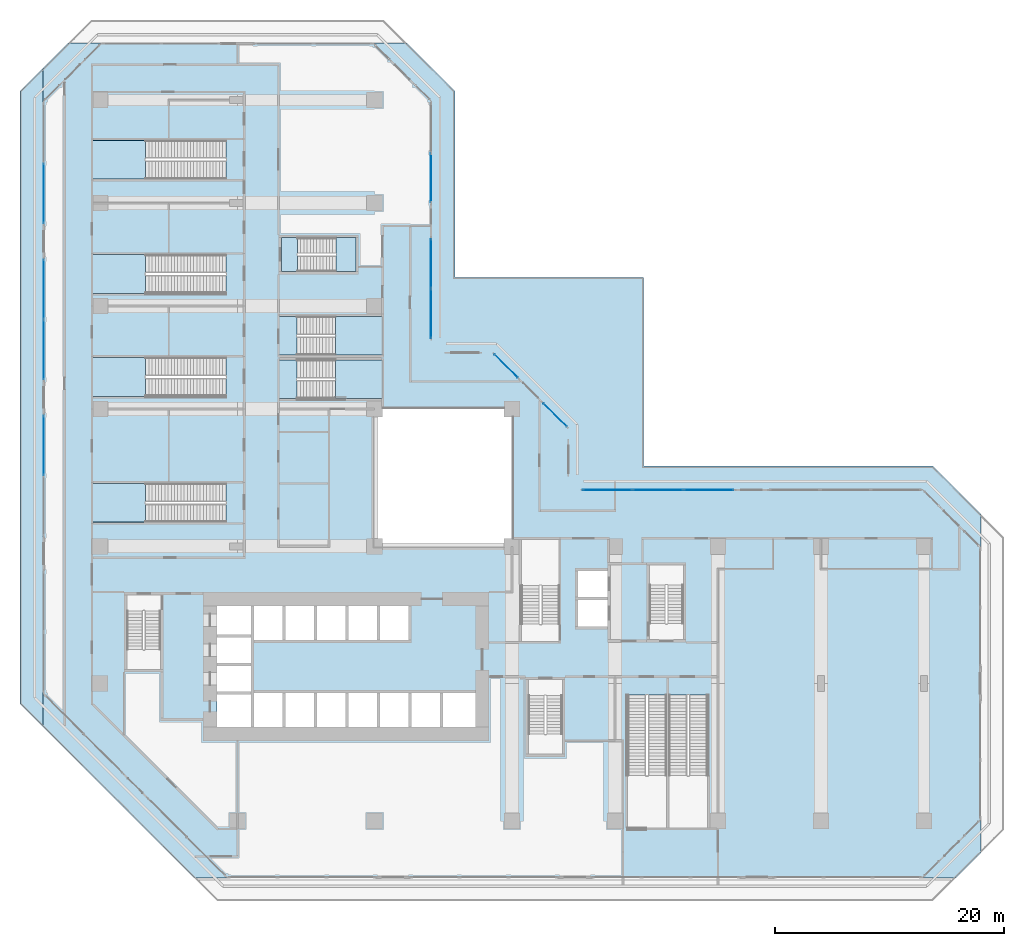
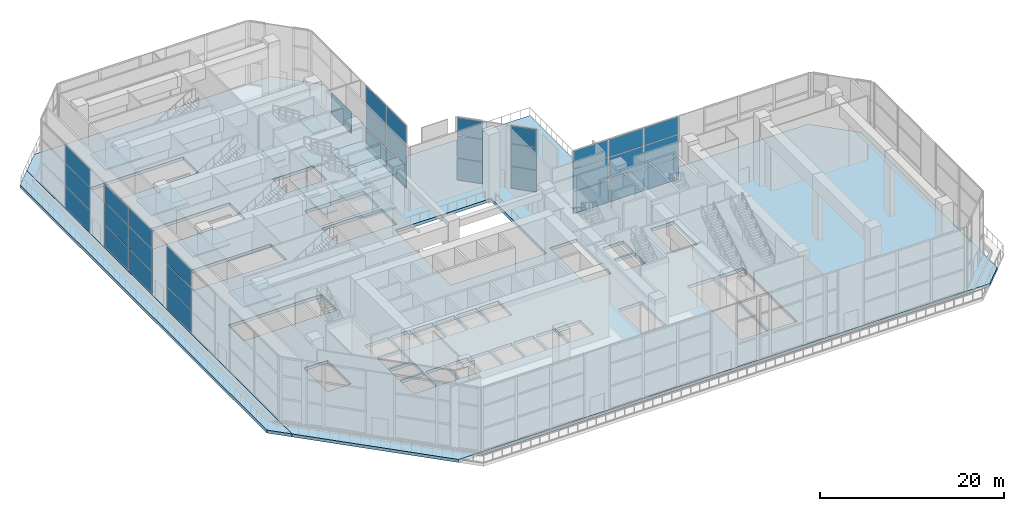
# One storey, part 10 of 28: 34 plates, 15 slabs, 15 elements without a shape of their own.
"""IFC4 building model written with IfcOpenShell, lengths in metres."""

from ifc_helpers import new_model, si_unit, direction, frame, origin, origin_2d, place, context, subcontext, project, spatial, polyline, rectangle, outline, extrude, material, layer, layer_set, type_object, element, aggregate, save


model = new_model("IFC4")

# Units and contexts
model_context = context("Model", 3, precision=1e-05, world=origin(), true_north=direction((0.0, 1.0)))
body_context = subcontext(model_context, "Body", "Model", "MODEL_VIEW")
ifc_project = project(units=[si_unit("LENGTHUNIT", "METRE"), si_unit("AREAUNIT", "SQUARE_METRE"), si_unit("VOLUMEUNIT", "CUBIC_METRE"), si_unit("PLANEANGLEUNIT", "RADIAN"), si_unit("MASSUNIT", "GRAM", prefix="KILO")], contexts=[model_context])

# Site, building, storey
site_placement = place(None, origin())
site = spatial("IfcSite", under=ifc_project, at=site_placement, CompositionType="ELEMENT")
building_placement = place(site_placement, origin())
building = spatial("IfcBuilding", under=site, at=building_placement, Name="Chenar Terraces", CompositionType="ELEMENT")
storey_placement = place(building_placement, frame((0.0, 0.0, 26.39990234375)))
storey = spatial("IfcBuildingStorey", under=building, at=storey_placement, Name="L05", CompositionType="ELEMENT", Elevation=26.39990234375)

# Stair, slabs
ifc_material_1 = material(Name="Reinforced concrete C40/50", Category="concrete")
stair_type = type_object("IfcStairType", Name="Core stair 1400 half-turn", PredefinedType="HALF_TURN_STAIR", material=ifc_material_1)
placement_1 = place(storey_placement, origin())
stair_1 = element("IfcStair", 1, at=placement_1, inside=storey, type_object=stair_type, Name="L05 Stair 4", PredefinedType="HALF_TURN_STAIR")
ifc_material_2 = material(Name="Reinforced concrete C40/50", Category="concrete")
ifc_layer_1 = layer(ifc_material_2, 0.199951171875)
ifc_layer_set_1 = layer_set([ifc_layer_1], Name="Reinforced concrete C40/50")
slab_type_1 = type_object("IfcSlabType", Name="Core stair landing 200", PredefinedType="LANDING", material=ifc_layer_set_1)
placement_2 = place(storey_placement, frame((0.0, 0.0, 2.050048828125)))
slab_1 = element("IfcSlab", 2, at=placement_2, type_object=slab_type_1, Name="ST4 landing 1", PredefinedType="LANDING", context=body_context, shape_type="SweptSolid", body=[
    extrude(outline(polyline([(20.610107421875, 48.02490234375), (22.35009765625, 48.02490234375), (22.35009765625, 50.97509765625), (20.610107421875, 50.97509765625), (20.610107421875, 48.02490234375)])), origin(), (0.0, 0.0, 1.0), 0.199951171875),
])
placement_3 = place(storey_placement, frame((0.0, 0.0, 4.300048828125)))
slab_2 = element("IfcSlab", 3, at=placement_3, type_object=slab_type_1, Name="ST4 landing 2", PredefinedType="LANDING", context=body_context, shape_type="SweptSolid", body=[
    extrude(outline(polyline([(15.85009765625, 48.02490234375), (17.25, 48.02490234375), (17.25, 50.97509765625), (15.85009765625, 50.97509765625), (15.85009765625, 48.02490234375)])), origin(), (0.0, 0.0, 1.0), 0.199951171875),
])
placement_4 = place(storey_placement, frame((0.0, 0.0, 6.550048828125)))
slab_3 = element("IfcSlab", 4, at=placement_4, type_object=slab_type_1, Name="ST4 landing 3", PredefinedType="LANDING", context=body_context, shape_type="SweptSolid", body=[
    extrude(outline(polyline([(20.610107421875, 48.02490234375), (22.35009765625, 48.02490234375), (22.35009765625, 50.97509765625), (20.610107421875, 50.97509765625), (20.610107421875, 48.02490234375)])), origin(), (0.0, 0.0, 1.0), 0.199951171875),
])
aggregate(stair_1, [slab_1, slab_2, slab_3])

# Stair, slab
stair_2 = element("IfcStair", 5, at=placement_1, inside=storey, type_object=stair_type, Name="L05 Exit stair PS3", PredefinedType="HALF_TURN_STAIR")
slab_4 = element("IfcSlab", 6, at=placement_3, type_object=slab_type_1, Name="PS3 landing 1", PredefinedType="LANDING", context=body_context, shape_type="SweptSolid", body=[
    extrude(outline(polyline([(3.985107421875, 59.489990234375), (-0.699951171875, 59.489990234375), (-0.699951171875, 56.110107421875), (3.985107421875, 56.110107421875), (3.985107421875, 59.489990234375)])), origin(), (0.0, 0.0, 1.0), 0.199951171875),
])
aggregate(stair_2, [slab_4])

stair_3 = element("IfcStair", 7, at=placement_1, inside=storey, type_object=stair_type, Name="L05 Exit stair PS4", PredefinedType="HALF_TURN_STAIR")
slab_5 = element("IfcSlab", 8, at=placement_3, type_object=slab_type_1, Name="PS4 landing 1", PredefinedType="LANDING", context=body_context, shape_type="SweptSolid", body=[
    extrude(outline(polyline([(3.985107421875, 49.489990234375), (-0.699951171875, 49.489990234375), (-0.699951171875, 46.110107421875), (3.985107421875, 46.110107421875), (3.985107421875, 49.489990234375)])), origin(), (0.0, 0.0, 1.0), 0.199951171875),
])
aggregate(stair_3, [slab_5])

stair_4 = element("IfcStair", 9, at=placement_1, inside=storey, type_object=stair_type, Name="L05 Exit stair PS5", PredefinedType="HALF_TURN_STAIR")
slab_6 = element("IfcSlab", 10, at=placement_3, type_object=slab_type_1, Name="PS5 landing 1", PredefinedType="LANDING", context=body_context, shape_type="SweptSolid", body=[
    extrude(outline(polyline([(3.985107421875, 29.489990234375), (-0.699951171875, 29.489990234375), (-0.699951171875, 26.110107421875), (3.985107421875, 26.110107421875), (3.985107421875, 29.489990234375)])), origin(), (0.0, 0.0, 1.0), 0.199951171875),
])
aggregate(stair_4, [slab_6])

# Stair, slabs
stair_5 = element("IfcStair", 11, at=placement_1, inside=storey, type_object=stair_type, Name="L05 Exit stair PS7", PredefinedType="HALF_TURN_STAIR")
slab_7 = element("IfcSlab", 12, at=placement_2, type_object=slab_type_1, Name="PS7 landing 1", PredefinedType="LANDING", context=body_context, shape_type="SweptSolid", body=[
    extrude(outline(polyline([(20.574951171875, 36.909912109375), (24.699951171875, 36.909912109375), (24.699951171875, 40.2900390625), (20.574951171875, 40.2900390625), (20.574951171875, 36.909912109375)])), origin(), (0.0, 0.0, 1.0), 0.199951171875),
])
slab_8 = element("IfcSlab", 13, at=placement_3, type_object=slab_type_1, Name="PS7 landing 2", PredefinedType="LANDING", context=body_context, shape_type="SweptSolid", body=[
    extrude(outline(polyline([(15.60009765625, 36.909912109375), (17.215087890625, 36.909912109375), (17.215087890625, 40.2900390625), (15.60009765625, 40.2900390625), (15.60009765625, 36.909912109375)])), origin(), (0.0, 0.0, 1.0), 0.199951171875),
])
slab_9 = element("IfcSlab", 14, at=placement_4, type_object=slab_type_1, Name="PS7 landing 3", PredefinedType="LANDING", context=body_context, shape_type="SweptSolid", body=[
    extrude(outline(polyline([(20.574951171875, 36.909912109375), (24.699951171875, 36.909912109375), (24.699951171875, 40.2900390625), (20.574951171875, 40.2900390625), (20.574951171875, 36.909912109375)])), origin(), (0.0, 0.0, 1.0), 0.199951171875),
])
aggregate(stair_5, [slab_7, slab_8, slab_9])

stair_6 = element("IfcStair", 15, at=placement_1, inside=storey, type_object=stair_type, Name="L05 Exit stair PS8", PredefinedType="HALF_TURN_STAIR")
slab_10 = element("IfcSlab", 16, at=placement_2, type_object=slab_type_1, Name="PS8 landing 1", PredefinedType="LANDING", context=body_context, shape_type="SweptSolid", body=[
    extrude(outline(polyline([(20.574951171875, 40.7099609375), (24.699951171875, 40.7099609375), (24.699951171875, 44.090087890625), (20.574951171875, 44.090087890625), (20.574951171875, 40.7099609375)])), origin(), (0.0, 0.0, 1.0), 0.199951171875),
])
slab_11 = element("IfcSlab", 17, at=placement_3, type_object=slab_type_1, Name="PS8 landing 2", PredefinedType="LANDING", context=body_context, shape_type="SweptSolid", body=[
    extrude(outline(polyline([(15.60009765625, 40.7099609375), (17.215087890625, 40.7099609375), (17.215087890625, 44.090087890625), (15.60009765625, 44.090087890625), (15.60009765625, 40.7099609375)])), origin(), (0.0, 0.0, 1.0), 0.199951171875),
])
slab_12 = element("IfcSlab", 18, at=placement_4, type_object=slab_type_1, Name="PS8 landing 3", PredefinedType="LANDING", context=body_context, shape_type="SweptSolid", body=[
    extrude(outline(polyline([(20.574951171875, 40.7099609375), (24.699951171875, 40.7099609375), (24.699951171875, 44.090087890625), (20.574951171875, 44.090087890625), (20.574951171875, 40.7099609375)])), origin(), (0.0, 0.0, 1.0), 0.199951171875),
])
aggregate(stair_6, [slab_10, slab_11, slab_12])

# Stair, slab
stair_7 = element("IfcStair", 19, at=placement_1, inside=storey, type_object=stair_type, Name="L05 Exit stair PS9", PredefinedType="HALF_TURN_STAIR")
slab_13 = element("IfcSlab", 20, at=placement_3, type_object=slab_type_1, Name="PS9 landing 1", PredefinedType="LANDING", context=body_context, shape_type="SweptSolid", body=[
    extrude(outline(polyline([(3.985107421875, 40.489990234375), (-0.699951171875, 40.489990234375), (-0.699951171875, 37.110107421875), (3.985107421875, 37.110107421875), (3.985107421875, 40.489990234375)])), origin(), (0.0, 0.0, 1.0), 0.199951171875),
])
aggregate(stair_7, [slab_13])

# Slab
ifc_material_3 = material(Name="Concrete C40/50", Category="concrete")
ifc_layer_2 = layer(ifc_material_3, 0.39990234375)
ifc_layer_set_2 = layer_set([ifc_layer_2], Name="Concrete C40/50")
slab_type_2 = type_object("IfcSlabType", Name="Floor slab 400 Concrete C40/50", PredefinedType="FLOOR", material=ifc_layer_set_2)
placement_5 = place(storey_placement, frame((0.0, 0.0, -0.39990234375)))
element("IfcSlab", 21, at=placement_5, inside=storey, type_object=slab_type_2, Name="Floor slab L05", PredefinedType="FLOOR", context=body_context, shape_type="SweptSolid", body=[
    extrude(outline(polyline([(-4.998046875, 11.04833984375), (-4.998046875, 62.95166015625), (-5.0, 62.94970703125), (-5.0, 65.7783203125), (-2.7783203125, 68.0), (0.05029296875, 68.0), (0.04833984375, 67.998046875), (23.95166015625, 67.998046875), (23.94970703125, 68.0), (26.7783203125, 68.0), (31.0, 63.7783203125), (31.0, 47.5), (47.5, 47.5), (47.5, 31.0), (72.7783203125, 31.0), (77.0, 26.7783203125), (77.0, 23.94970703125), (76.998046875, 23.95166015625), (76.998046875, 0.04833984375), (77.0, 0.05029296875), (77.0, -2.7783203125), (74.7783203125, -5.0), (71.94970703125, -5.0), (71.95166015625, -4.998046875), (11.04833984375, -4.998046875), (11.05029296875, -5.0), (8.2216796875, -5.0), (-5.0, 8.2216796875), (-5.0, 11.05029296875), (-4.998046875, 11.04833984375)]), holes=[polyline([(13.199951171875, 8.199951171875), (13.199951171875, 11.050048828125), (10.199951171875, 11.050048828125), (10.199951171875, 8.199951171875), (13.199951171875, 8.199951171875)]), polyline([(15.949951171875, 8.199951171875), (15.949951171875, 11.199951171875), (13.449951171875, 11.199951171875), (13.449951171875, 8.199951171875), (15.949951171875, 8.199951171875)]), polyline([(18.699951171875, 8.199951171875), (18.699951171875, 11.199951171875), (16.199951171875, 11.199951171875), (16.199951171875, 8.199951171875), (18.699951171875, 8.199951171875)]), polyline([(21.449951171875, 8.199951171875), (21.449951171875, 11.199951171875), (18.949951171875, 11.199951171875), (18.949951171875, 8.199951171875), (21.449951171875, 8.199951171875)]), polyline([(13.199951171875, 11.300048828125), (13.199951171875, 13.550048828125), (10.199951171875, 13.550048828125), (10.199951171875, 11.300048828125), (13.199951171875, 11.300048828125)]), polyline([(13.199951171875, 13.800048828125), (13.199951171875, 16.050048828125), (10.199951171875, 16.050048828125), (10.199951171875, 13.800048828125), (13.199951171875, 13.800048828125)]), polyline([(2.35009765625, 18.35009765625), (2.35009765625, 13.25), (5.300048828125, 13.25), (5.300048828125, 18.35009765625), (2.35009765625, 18.35009765625)]), polyline([(15.949951171875, 15.800048828125), (15.949951171875, 18.800048828125), (13.449951171875, 18.800048828125), (13.449951171875, 15.800048828125), (15.949951171875, 15.800048828125)]), polyline([(18.699951171875, 15.800048828125), (18.699951171875, 18.800048828125), (16.199951171875, 18.800048828125), (16.199951171875, 15.800048828125), (18.699951171875, 15.800048828125)]), polyline([(21.449951171875, 15.800048828125), (21.449951171875, 18.800048828125), (18.949951171875, 18.800048828125), (18.949951171875, 15.800048828125), (21.449951171875, 15.800048828125)]), polyline([(13.199951171875, 16.300048828125), (13.199951171875, 18.800048828125), (10.199951171875, 18.800048828125), (10.199951171875, 16.300048828125), (13.199951171875, 16.300048828125)]), polyline([(10.985107421875, 29.489990234375), (-0.699951171875, 29.489990234375), (-0.699951171875, 26.110107421875), (10.985107421875, 26.110107421875), (10.985107421875, 29.489990234375)]), polyline([(10.985107421875, 40.489990234375), (-0.699951171875, 40.489990234375), (-0.699951171875, 37.110107421875), (10.985107421875, 37.110107421875), (10.985107421875, 40.489990234375)]), polyline([(10.985107421875, 49.489990234375), (-0.699951171875, 49.489990234375), (-0.699951171875, 46.110107421875), (10.985107421875, 46.110107421875), (10.985107421875, 49.489990234375)]), polyline([(17.25, 48.02490234375), (22.35009765625, 48.02490234375), (22.35009765625, 50.97509765625), (17.25, 50.97509765625), (17.25, 48.02490234375)]), polyline([(10.985107421875, 59.489990234375), (-0.699951171875, 59.489990234375), (-0.699951171875, 56.110107421875), (10.985107421875, 56.110107421875), (10.985107421875, 59.489990234375)]), polyline([(46.110107421875, 10.985107421875), (46.110107421875, -0.699951171875), (49.489990234375, -0.699951171875), (49.489990234375, 10.985107421875), (46.110107421875, 10.985107421875)]), polyline([(49.7099609375, 10.985107421875), (49.7099609375, -0.699951171875), (53.090087890625, -0.699951171875), (53.090087890625, 10.985107421875), (49.7099609375, 10.985107421875)]), polyline([(37.449951171875, 10.949951171875), (37.449951171875, 5.85009765625), (40.39990234375, 5.85009765625), (40.39990234375, 10.949951171875), (37.449951171875, 10.949951171875)]), polyline([(24.199951171875, 8.199951171875), (24.199951171875, 11.199951171875), (21.699951171875, 11.199951171875), (21.699951171875, 8.199951171875), (24.199951171875, 8.199951171875)]), polyline([(26.949951171875, 8.199951171875), (26.949951171875, 11.199951171875), (24.449951171875, 11.199951171875), (24.449951171875, 8.199951171875), (26.949951171875, 8.199951171875)]), polyline([(29.699951171875, 8.199951171875), (29.699951171875, 11.199951171875), (27.199951171875, 11.199951171875), (27.199951171875, 8.199951171875), (29.699951171875, 8.199951171875)]), polyline([(32.800048828125, 8.199951171875), (32.800048828125, 11.199951171875), (29.949951171875, 11.199951171875), (29.949951171875, 8.199951171875), (32.800048828125, 8.199951171875)]), polyline([(24.199951171875, 15.800048828125), (24.199951171875, 18.800048828125), (21.699951171875, 18.800048828125), (21.699951171875, 15.800048828125), (24.199951171875, 15.800048828125)]), polyline([(26.949951171875, 15.800048828125), (26.949951171875, 18.800048828125), (24.449951171875, 18.800048828125), (24.449951171875, 15.800048828125), (26.949951171875, 15.800048828125)]), polyline([(44.35009765625, 17.0), (44.35009765625, 19.300048828125), (41.75, 19.300048828125), (41.75, 17.0), (44.35009765625, 17.0)]), polyline([(50.97509765625, 17.25), (50.97509765625, 22.35009765625), (48.02490234375, 22.35009765625), (48.02490234375, 17.25), (50.97509765625, 17.25)]), polyline([(44.35009765625, 19.550048828125), (44.35009765625, 21.85009765625), (41.75, 21.85009765625), (41.75, 19.550048828125), (44.35009765625, 19.550048828125)]), polyline([(40.175048828125, 17.199951171875), (40.175048828125, 24.699951171875), (36.824951171875, 24.699951171875), (36.824951171875, 17.199951171875), (40.175048828125, 17.199951171875)]), polyline([(24.0, 24.0), (36.0, 24.0), (36.0, 36.0), (24.0, 36.0), (24.0, 24.0)]), polyline([(17.215087890625, 36.909912109375), (24.699951171875, 36.909912109375), (24.699951171875, 40.2900390625), (17.215087890625, 40.2900390625), (17.215087890625, 36.909912109375)]), polyline([(17.215087890625, 40.7099609375), (24.699951171875, 40.7099609375), (24.699951171875, 44.090087890625), (17.215087890625, 44.090087890625), (17.215087890625, 40.7099609375)])]), origin(), (0.0, 0.0, 1.0), 0.39990234375),
])

# Curtain wall, plates
ifc_material_4 = material(Name="Aluminium framed glazing", Category="aluminium")
ifc_layer_3 = layer(ifc_material_4, 0.14990234375)
ifc_layer_set_3 = layer_set([ifc_layer_3], Name="Aluminium framed glazing")
curtain_wall_type = type_object("IfcCurtainWallType", Name="Hall curtain wall", PredefinedType="NOTDEFINED", material=ifc_layer_set_3)
curtain_wall_1 = element("IfcCurtainWall", 22, at=placement_1, inside=storey, type_object=curtain_wall_type, Name="Hall curtain wall", PredefinedType="NOTDEFINED")
ifc_material_5 = material(Name="Low emissivity laminated glass, solar control coating", Category="glass")
ifc_layer_4 = layer(ifc_material_5, 0.035888671875)
ifc_layer_set_4 = layer_set([ifc_layer_4], Name="Low emissivity laminated glass, solar control coating")
plate_type = type_object("IfcPlateType", Name="Hall glazing panel 36", PredefinedType="CURTAIN_PANEL", material=ifc_layer_set_4)
plate_1_placement = place(storey_placement, frame((53.19189453125, 28.925048828125, 0.09033203125), z_axis=(0.0, 0.0, 1.0), x_axis=(-1.0, 0.0, 0.0)))
plate_1 = element("IfcPlate", 23, at=plate_1_placement, type_object=plate_type, Name="CW5-02c1 panel 1.1", PredefinedType="CURTAIN_PANEL", context=body_context, shape_type="SweptSolid", body=[
    extrude(rectangle(XDim=4.310791015625, YDim=0.035888671875, at=origin_2d()), origin(), (0.0, 0.0, 1.0), 2.864990234375),
])
plate_2_placement = place(storey_placement, frame((53.19189453125, 28.925048828125, 3.044921875), z_axis=(0.0, 0.0, 1.0), x_axis=(-1.0, 0.0, 0.0)))
plate_2 = element("IfcPlate", 24, at=plate_2_placement, type_object=plate_type, Name="CW5-02c1 panel 1.2", PredefinedType="CURTAIN_PANEL", context=body_context, shape_type="SweptSolid", body=[
    extrude(rectangle(XDim=4.310791015625, YDim=0.035888671875, at=origin_2d()), origin(), (0.0, 0.0, 1.0), 2.909912109375),
])
plate_3_placement = place(storey_placement, frame((53.19189453125, 28.925048828125, 6.045166015625), z_axis=(0.0, 0.0, 1.0), x_axis=(-1.0, 0.0, 0.0)))
plate_3 = element("IfcPlate", 25, at=plate_3_placement, type_object=plate_type, Name="CW5-02c1 panel 1.3", PredefinedType="CURTAIN_PANEL", context=body_context, shape_type="SweptSolid", body=[
    extrude(rectangle(XDim=4.310791015625, YDim=0.035888671875, at=origin_2d()), origin(), (0.0, 0.0, 1.0), 2.31494140625),
])
plate_4_placement = place(storey_placement, frame((48.7685546875, 28.925048828125, 0.09033203125), z_axis=(0.0, 0.0, 1.0), x_axis=(-1.0, 0.0, 0.0)))
plate_4 = element("IfcPlate", 26, at=plate_4_placement, type_object=plate_type, Name="CW5-02c1 panel 2.1", PredefinedType="CURTAIN_PANEL", context=body_context, shape_type="SweptSolid", body=[
    extrude(rectangle(XDim=4.355712890625, YDim=0.035888671875, at=origin_2d()), origin(), (0.0, 0.0, 1.0), 2.864990234375),
])
plate_5_placement = place(storey_placement, frame((48.7685546875, 28.925048828125, 3.044921875), z_axis=(0.0, 0.0, 1.0), x_axis=(-1.0, 0.0, 0.0)))
plate_5 = element("IfcPlate", 27, at=plate_5_placement, type_object=plate_type, Name="CW5-02c1 panel 2.2", PredefinedType="CURTAIN_PANEL", context=body_context, shape_type="SweptSolid", body=[
    extrude(rectangle(XDim=4.355712890625, YDim=0.035888671875, at=origin_2d()), origin(), (0.0, 0.0, 1.0), 2.909912109375),
])
plate_6_placement = place(storey_placement, frame((48.7685546875, 28.925048828125, 6.045166015625), z_axis=(0.0, 0.0, 1.0), x_axis=(-1.0, 0.0, 0.0)))
plate_6 = element("IfcPlate", 28, at=plate_6_placement, type_object=plate_type, Name="CW5-02c1 panel 2.3", PredefinedType="CURTAIN_PANEL", context=body_context, shape_type="SweptSolid", body=[
    extrude(rectangle(XDim=4.355712890625, YDim=0.035888671875, at=origin_2d()), origin(), (0.0, 0.0, 1.0), 2.31494140625),
])
plate_7_placement = place(storey_placement, frame((44.34521484375, 28.925048828125, 0.09033203125), z_axis=(0.0, 0.0, 1.0), x_axis=(-1.0, 0.0, 0.0)))
plate_7 = element("IfcPlate", 29, at=plate_7_placement, type_object=plate_type, Name="CW5-02c1 panel 3.1", PredefinedType="CURTAIN_PANEL", context=body_context, shape_type="SweptSolid", body=[
    extrude(rectangle(XDim=4.310791015625, YDim=0.035888671875, at=origin_2d()), origin(), (0.0, 0.0, 1.0), 2.864990234375),
])
plate_8_placement = place(storey_placement, frame((44.34521484375, 28.925048828125, 3.044921875), z_axis=(0.0, 0.0, 1.0), x_axis=(-1.0, 0.0, 0.0)))
plate_8 = element("IfcPlate", 30, at=plate_8_placement, type_object=plate_type, Name="CW5-02c1 panel 3.2", PredefinedType="CURTAIN_PANEL", context=body_context, shape_type="SweptSolid", body=[
    extrude(rectangle(XDim=4.310791015625, YDim=0.035888671875, at=origin_2d()), origin(), (0.0, 0.0, 1.0), 2.909912109375),
])
plate_9_placement = place(storey_placement, frame((44.34521484375, 28.925048828125, 6.045166015625), z_axis=(0.0, 0.0, 1.0), x_axis=(-1.0, 0.0, 0.0)))
plate_9 = element("IfcPlate", 31, at=plate_9_placement, type_object=plate_type, Name="CW5-02c1 panel 3.3", PredefinedType="CURTAIN_PANEL", context=body_context, shape_type="SweptSolid", body=[
    extrude(rectangle(XDim=4.310791015625, YDim=0.035888671875, at=origin_2d()), origin(), (0.0, 0.0, 1.0), 2.31494140625),
])
aggregate(curtain_wall_1, [plate_1, plate_2, plate_3, plate_4, plate_5, plate_6, plate_7, plate_8, plate_9])

curtain_wall_2 = element("IfcCurtainWall", 32, at=placement_1, inside=storey, type_object=curtain_wall_type, Name="Hall curtain wall", PredefinedType="NOTDEFINED")
plate_10_placement = place(storey_placement, frame((39.76611328125, 35.4775390625, 0.09033203125), z_axis=(0.0, 0.0, 1.0), x_axis=(-0.707106781187, 0.707106781187, 0.0)))
plate_10 = element("IfcPlate", 33, at=plate_10_placement, type_object=plate_type, Name="CW5-04c0 panel 1.1", PredefinedType="CURTAIN_PANEL", context=body_context, shape_type="SweptSolid", body=[
    extrude(rectangle(XDim=2.85986328125, YDim=0.035888671875, at=origin_2d()), origin(), (0.0, 0.0, 1.0), 2.864990234375),
])
plate_11_placement = place(storey_placement, frame((39.76611328125, 35.4775390625, 3.044921875), z_axis=(0.0, 0.0, 1.0), x_axis=(-0.707106781187, 0.707106781187, 0.0)))
plate_11 = element("IfcPlate", 34, at=plate_11_placement, type_object=plate_type, Name="CW5-04c0 panel 1.2", PredefinedType="CURTAIN_PANEL", context=body_context, shape_type="SweptSolid", body=[
    extrude(rectangle(XDim=2.85986328125, YDim=0.035888671875, at=origin_2d()), origin(), (0.0, 0.0, 1.0), 2.909912109375),
])
plate_12_placement = place(storey_placement, frame((39.76611328125, 35.4775390625, 6.045166015625), z_axis=(0.0, 0.0, 1.0), x_axis=(-0.707106781187, 0.707106781187, 0.0)))
plate_12 = element("IfcPlate", 35, at=plate_12_placement, type_object=plate_type, Name="CW5-04c0 panel 1.3", PredefinedType="CURTAIN_PANEL", context=body_context, shape_type="SweptSolid", body=[
    extrude(rectangle(XDim=2.85986328125, YDim=0.035888671875, at=origin_2d()), origin(), (0.0, 0.0, 1.0), 2.31494140625),
])
aggregate(curtain_wall_2, [plate_10, plate_11, plate_12])

curtain_wall_3 = element("IfcCurtainWall", 36, at=placement_1, inside=storey, type_object=curtain_wall_type, Name="Hall curtain wall", PredefinedType="NOTDEFINED")
plate_13_placement = place(storey_placement, frame((35.4775390625, 39.76611328125, 0.09033203125), z_axis=(0.0, 0.0, 1.0), x_axis=(-0.707106781187, 0.707106781187, 0.0)))
plate_13 = element("IfcPlate", 37, at=plate_13_placement, type_object=plate_type, Name="CW5-04c1 panel 1.1", PredefinedType="CURTAIN_PANEL", context=body_context, shape_type="SweptSolid", body=[
    extrude(rectangle(XDim=2.85986328125, YDim=0.035888671875, at=origin_2d()), origin(), (0.0, 0.0, 1.0), 2.864990234375),
])
plate_14_placement = place(storey_placement, frame((35.4775390625, 39.76611328125, 3.044921875), z_axis=(0.0, 0.0, 1.0), x_axis=(-0.707106781187, 0.707106781187, 0.0)))
plate_14 = element("IfcPlate", 38, at=plate_14_placement, type_object=plate_type, Name="CW5-04c1 panel 1.2", PredefinedType="CURTAIN_PANEL", context=body_context, shape_type="SweptSolid", body=[
    extrude(rectangle(XDim=2.85986328125, YDim=0.035888671875, at=origin_2d()), origin(), (0.0, 0.0, 1.0), 2.909912109375),
])
plate_15_placement = place(storey_placement, frame((35.4775390625, 39.76611328125, 6.045166015625), z_axis=(0.0, 0.0, 1.0), x_axis=(-0.707106781187, 0.707106781187, 0.0)))
plate_15 = element("IfcPlate", 39, at=plate_15_placement, type_object=plate_type, Name="CW5-04c1 panel 1.3", PredefinedType="CURTAIN_PANEL", context=body_context, shape_type="SweptSolid", body=[
    extrude(rectangle(XDim=2.85986328125, YDim=0.035888671875, at=origin_2d()), origin(), (0.0, 0.0, 1.0), 2.31494140625),
])
aggregate(curtain_wall_3, [plate_13, plate_14, plate_15])

curtain_wall_4 = element("IfcCurtainWall", 40, at=placement_1, inside=storey, type_object=curtain_wall_type, Name="Hall curtain wall", PredefinedType="NOTDEFINED")
plate_16_placement = place(storey_placement, frame((28.925048828125, 44.33154296875, 0.09033203125), z_axis=(0.0, 0.0, 1.0), x_axis=(0.0, 1.0, 0.0)))
plate_16 = element("IfcPlate", 41, at=plate_16_placement, type_object=plate_type, Name="CW5-06c0 panel 1.1", PredefinedType="CURTAIN_PANEL", context=body_context, shape_type="SweptSolid", body=[
    extrude(rectangle(XDim=4.28369140625, YDim=0.035888671875, at=origin_2d()), origin(), (0.0, 0.0, 1.0), 2.864990234375),
])
plate_17_placement = place(storey_placement, frame((28.925048828125, 44.33154296875, 3.044921875), z_axis=(0.0, 0.0, 1.0), x_axis=(0.0, 1.0, 0.0)))
plate_17 = element("IfcPlate", 42, at=plate_17_placement, type_object=plate_type, Name="CW5-06c0 panel 1.2", PredefinedType="CURTAIN_PANEL", context=body_context, shape_type="SweptSolid", body=[
    extrude(rectangle(XDim=4.28369140625, YDim=0.035888671875, at=origin_2d()), origin(), (0.0, 0.0, 1.0), 2.909912109375),
])
plate_18_placement = place(storey_placement, frame((28.925048828125, 44.33154296875, 6.045166015625), z_axis=(0.0, 0.0, 1.0), x_axis=(0.0, 1.0, 0.0)))
plate_18 = element("IfcPlate", 43, at=plate_18_placement, type_object=plate_type, Name="CW5-06c0 panel 1.3", PredefinedType="CURTAIN_PANEL", context=body_context, shape_type="SweptSolid", body=[
    extrude(rectangle(XDim=4.28369140625, YDim=0.035888671875, at=origin_2d()), origin(), (0.0, 0.0, 1.0), 2.31494140625),
])
plate_19_placement = place(storey_placement, frame((28.925048828125, 48.705322265625, 0.09033203125), z_axis=(0.0, 0.0, 1.0), x_axis=(0.0, 1.0, 0.0)))
plate_19 = element("IfcPlate", 44, at=plate_19_placement, type_object=plate_type, Name="CW5-06c0 panel 2.1", PredefinedType="CURTAIN_PANEL", context=body_context, shape_type="SweptSolid", body=[
    extrude(rectangle(XDim=4.28369140625, YDim=0.035888671875, at=origin_2d()), origin(), (0.0, 0.0, 1.0), 2.864990234375),
])
plate_20_placement = place(storey_placement, frame((28.925048828125, 48.705322265625, 3.044921875), z_axis=(0.0, 0.0, 1.0), x_axis=(0.0, 1.0, 0.0)))
plate_20 = element("IfcPlate", 45, at=plate_20_placement, type_object=plate_type, Name="CW5-06c0 panel 2.2", PredefinedType="CURTAIN_PANEL", context=body_context, shape_type="SweptSolid", body=[
    extrude(rectangle(XDim=4.28369140625, YDim=0.035888671875, at=origin_2d()), origin(), (0.0, 0.0, 1.0), 2.909912109375),
])
plate_21_placement = place(storey_placement, frame((28.925048828125, 48.705322265625, 6.045166015625), z_axis=(0.0, 0.0, 1.0), x_axis=(0.0, 1.0, 0.0)))
plate_21 = element("IfcPlate", 46, at=plate_21_placement, type_object=plate_type, Name="CW5-06c0 panel 2.3", PredefinedType="CURTAIN_PANEL", context=body_context, shape_type="SweptSolid", body=[
    extrude(rectangle(XDim=4.28369140625, YDim=0.035888671875, at=origin_2d()), origin(), (0.0, 0.0, 1.0), 2.31494140625),
])
aggregate(curtain_wall_4, [plate_16, plate_17, plate_18, plate_19, plate_20, plate_21])

# Curtain wall, plate
curtain_wall_5 = element("IfcCurtainWall", 47, at=placement_1, inside=storey, type_object=curtain_wall_type, Name="Hall curtain wall", PredefinedType="NOTDEFINED")
plate_22_placement = place(storey_placement, frame((28.925048828125, 56.194091796875, 0.09033203125), z_axis=(0.0, 0.0, 1.0), x_axis=(0.0, 1.0, 0.0)))
plate_22 = element("IfcPlate", 48, at=plate_22_placement, type_object=plate_type, Name="CW5-06c1 panel 1.1", PredefinedType="CURTAIN_PANEL", context=body_context, shape_type="SweptSolid", body=[
    extrude(rectangle(XDim=4.28369140625, YDim=0.035888671875, at=origin_2d()), origin(), (0.0, 0.0, 1.0), 2.864990234375),
])
aggregate(curtain_wall_5, [plate_22])

# Curtain wall, plates
curtain_wall_6 = element("IfcCurtainWall", 49, at=placement_1, inside=storey, type_object=curtain_wall_type, Name="Hall curtain wall", PredefinedType="NOTDEFINED")
plate_23_placement = place(storey_placement, frame((-4.925048828125, 54.84423828125, 0.09033203125), z_axis=(0.0, 0.0, 1.0), x_axis=(0.0, -1.0, 0.0)))
plate_23 = element("IfcPlate", 50, at=plate_23_placement, type_object=plate_type, Name="CW5-10c0 panel 2.1", PredefinedType="CURTAIN_PANEL", context=body_context, shape_type="SweptSolid", body=[
    extrude(rectangle(XDim=5.18359375, YDim=0.035888671875, at=origin_2d()), origin(), (0.0, 0.0, 1.0), 2.864990234375),
])
plate_24_placement = place(storey_placement, frame((-4.925048828125, 54.84423828125, 3.044921875), z_axis=(0.0, 0.0, 1.0), x_axis=(0.0, -1.0, 0.0)))
plate_24 = element("IfcPlate", 51, at=plate_24_placement, type_object=plate_type, Name="CW5-10c0 panel 2.2", PredefinedType="CURTAIN_PANEL", context=body_context, shape_type="SweptSolid", body=[
    extrude(rectangle(XDim=5.18359375, YDim=0.035888671875, at=origin_2d()), origin(), (0.0, 0.0, 1.0), 2.909912109375),
])
plate_25_placement = place(storey_placement, frame((-4.925048828125, 54.84423828125, 6.045166015625), z_axis=(0.0, 0.0, 1.0), x_axis=(0.0, -1.0, 0.0)))
plate_25 = element("IfcPlate", 52, at=plate_25_placement, type_object=plate_type, Name="CW5-10c0 panel 2.3", PredefinedType="CURTAIN_PANEL", context=body_context, shape_type="SweptSolid", body=[
    extrude(rectangle(XDim=5.18359375, YDim=0.035888671875, at=origin_2d()), origin(), (0.0, 0.0, 1.0), 2.31494140625),
])
aggregate(curtain_wall_6, [plate_23, plate_24, plate_25])

curtain_wall_7 = element("IfcCurtainWall", 53, at=placement_1, inside=storey, type_object=curtain_wall_type, Name="Hall curtain wall", PredefinedType="NOTDEFINED")
plate_26_placement = place(storey_placement, frame((-4.925048828125, 46.458740234375, 0.09033203125), z_axis=(0.0, 0.0, 1.0), x_axis=(0.0, -1.0, 0.0)))
plate_26 = element("IfcPlate", 54, at=plate_26_placement, type_object=plate_type, Name="CW5-10c1 panel 1.1", PredefinedType="CURTAIN_PANEL", context=body_context, shape_type="SweptSolid", body=[
    extrude(rectangle(XDim=5.177490234375, YDim=0.035888671875, at=origin_2d()), origin(), (0.0, 0.0, 1.0), 2.864990234375),
])
plate_27_placement = place(storey_placement, frame((-4.925048828125, 46.458740234375, 3.044921875), z_axis=(0.0, 0.0, 1.0), x_axis=(0.0, -1.0, 0.0)))
plate_27 = element("IfcPlate", 55, at=plate_27_placement, type_object=plate_type, Name="CW5-10c1 panel 1.2", PredefinedType="CURTAIN_PANEL", context=body_context, shape_type="SweptSolid", body=[
    extrude(rectangle(XDim=5.177490234375, YDim=0.035888671875, at=origin_2d()), origin(), (0.0, 0.0, 1.0), 2.909912109375),
])
plate_28_placement = place(storey_placement, frame((-4.925048828125, 46.458740234375, 6.045166015625), z_axis=(0.0, 0.0, 1.0), x_axis=(0.0, -1.0, 0.0)))
plate_28 = element("IfcPlate", 56, at=plate_28_placement, type_object=plate_type, Name="CW5-10c1 panel 1.3", PredefinedType="CURTAIN_PANEL", context=body_context, shape_type="SweptSolid", body=[
    extrude(rectangle(XDim=5.177490234375, YDim=0.035888671875, at=origin_2d()), origin(), (0.0, 0.0, 1.0), 2.31494140625),
])
plate_29_placement = place(storey_placement, frame((-4.925048828125, 41.191162109375, 0.09033203125), z_axis=(0.0, 0.0, 1.0), x_axis=(0.0, -1.0, 0.0)))
plate_29 = element("IfcPlate", 57, at=plate_29_placement, type_object=plate_type, Name="CW5-10c1 panel 2.1", PredefinedType="CURTAIN_PANEL", context=body_context, shape_type="SweptSolid", body=[
    extrude(rectangle(XDim=5.177490234375, YDim=0.035888671875, at=origin_2d()), origin(), (0.0, 0.0, 1.0), 2.864990234375),
])
plate_30_placement = place(storey_placement, frame((-4.925048828125, 41.191162109375, 3.044921875), z_axis=(0.0, 0.0, 1.0), x_axis=(0.0, -1.0, 0.0)))
plate_30 = element("IfcPlate", 58, at=plate_30_placement, type_object=plate_type, Name="CW5-10c1 panel 2.2", PredefinedType="CURTAIN_PANEL", context=body_context, shape_type="SweptSolid", body=[
    extrude(rectangle(XDim=5.177490234375, YDim=0.035888671875, at=origin_2d()), origin(), (0.0, 0.0, 1.0), 2.909912109375),
])
plate_31_placement = place(storey_placement, frame((-4.925048828125, 41.191162109375, 6.045166015625), z_axis=(0.0, 0.0, 1.0), x_axis=(0.0, -1.0, 0.0)))
plate_31 = element("IfcPlate", 59, at=plate_31_placement, type_object=plate_type, Name="CW5-10c1 panel 2.3", PredefinedType="CURTAIN_PANEL", context=body_context, shape_type="SweptSolid", body=[
    extrude(rectangle(XDim=5.177490234375, YDim=0.035888671875, at=origin_2d()), origin(), (0.0, 0.0, 1.0), 2.31494140625),
])
aggregate(curtain_wall_7, [plate_26, plate_27, plate_28, plate_29, plate_30, plate_31])

curtain_wall_8 = element("IfcCurtainWall", 60, at=placement_1, inside=storey, type_object=curtain_wall_type, Name="Hall curtain wall", PredefinedType="NOTDEFINED")
plate_32_placement = place(storey_placement, frame((-4.925048828125, 32.808837890625, 0.09033203125), z_axis=(0.0, 0.0, 1.0), x_axis=(0.0, -1.0, 0.0)))
plate_32 = element("IfcPlate", 61, at=plate_32_placement, type_object=plate_type, Name="CW5-10c2 panel 1.1", PredefinedType="CURTAIN_PANEL", context=body_context, shape_type="SweptSolid", body=[
    extrude(rectangle(XDim=5.177490234375, YDim=0.035888671875, at=origin_2d()), origin(), (0.0, 0.0, 1.0), 2.864990234375),
])
plate_33_placement = place(storey_placement, frame((-4.925048828125, 32.808837890625, 3.044921875), z_axis=(0.0, 0.0, 1.0), x_axis=(0.0, -1.0, 0.0)))
plate_33 = element("IfcPlate", 62, at=plate_33_placement, type_object=plate_type, Name="CW5-10c2 panel 1.2", PredefinedType="CURTAIN_PANEL", context=body_context, shape_type="SweptSolid", body=[
    extrude(rectangle(XDim=5.177490234375, YDim=0.035888671875, at=origin_2d()), origin(), (0.0, 0.0, 1.0), 2.909912109375),
])
plate_34_placement = place(storey_placement, frame((-4.925048828125, 32.808837890625, 6.045166015625), z_axis=(0.0, 0.0, 1.0), x_axis=(0.0, -1.0, 0.0)))
plate_34 = element("IfcPlate", 63, at=plate_34_placement, type_object=plate_type, Name="CW5-10c2 panel 1.3", PredefinedType="CURTAIN_PANEL", context=body_context, shape_type="SweptSolid", body=[
    extrude(rectangle(XDim=5.177490234375, YDim=0.035888671875, at=origin_2d()), origin(), (0.0, 0.0, 1.0), 2.31494140625),
])
aggregate(curtain_wall_8, [plate_32, plate_33, plate_34])

# Slab
ifc_material_6 = material(Name="Concrete C40/50", Category="concrete")
ifc_layer_5 = layer(ifc_material_6, 0.39990234375)
ifc_layer_set_5 = layer_set([ifc_layer_5], Name="Concrete C40/50")
slab_type_3 = type_object("IfcSlabType", Name="Terrace slab 400 Concrete C40/50", PredefinedType="FLOOR", material=ifc_layer_set_5)
element("IfcSlab", 64, at=placement_5, inside=storey, type_object=slab_type_3, Name="Terrace slab L05 3.1", PredefinedType="FLOOR", context=body_context, shape_type="SweptSolid", body=[
    extrude(outline(polyline([(-7.0, 10.2216796875), (-7.0, 63.7783203125), (-5.0, 65.7783203125), (-5.0, 62.94970703125), (-5.0, 11.05029296875), (-5.0, 8.2216796875), (-7.0, 10.2216796875)])), origin(), (0.0, 0.0, 1.0), 0.39990234375),
])

save(model, "model.ifc")
